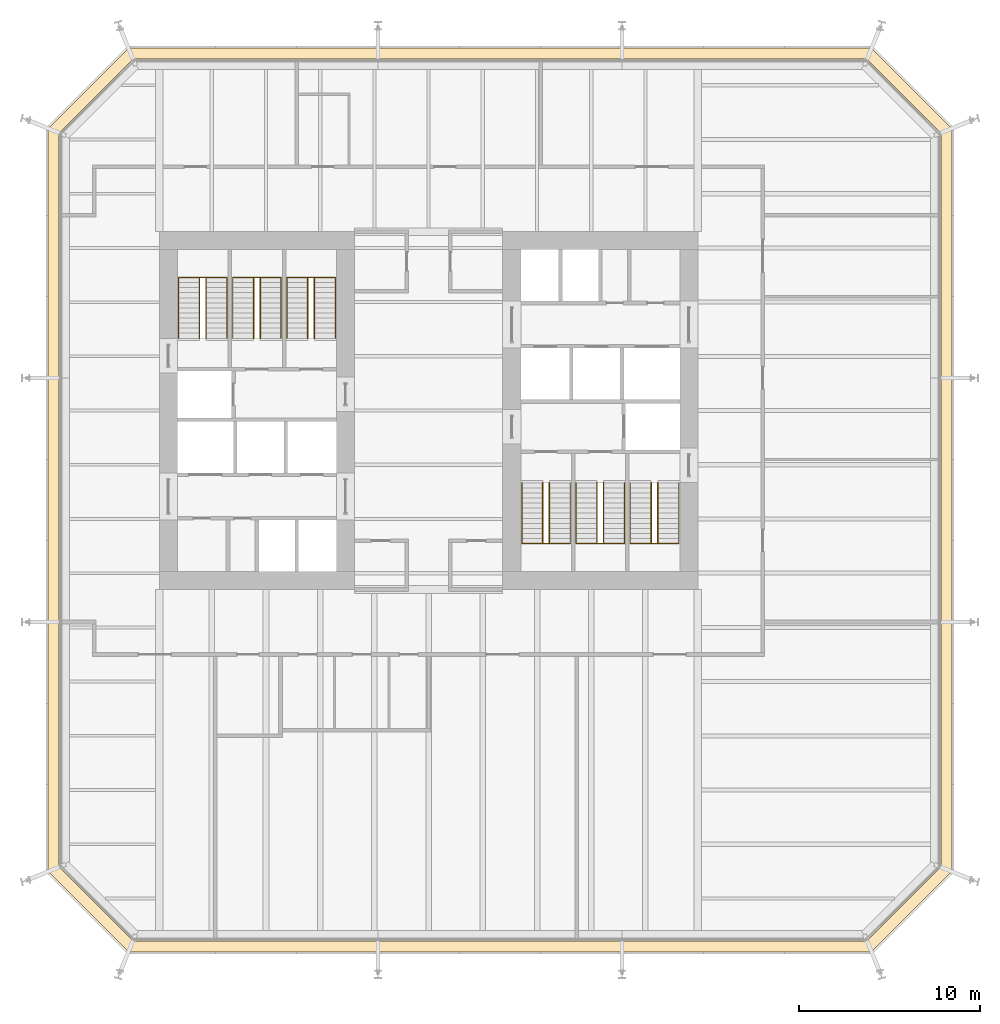
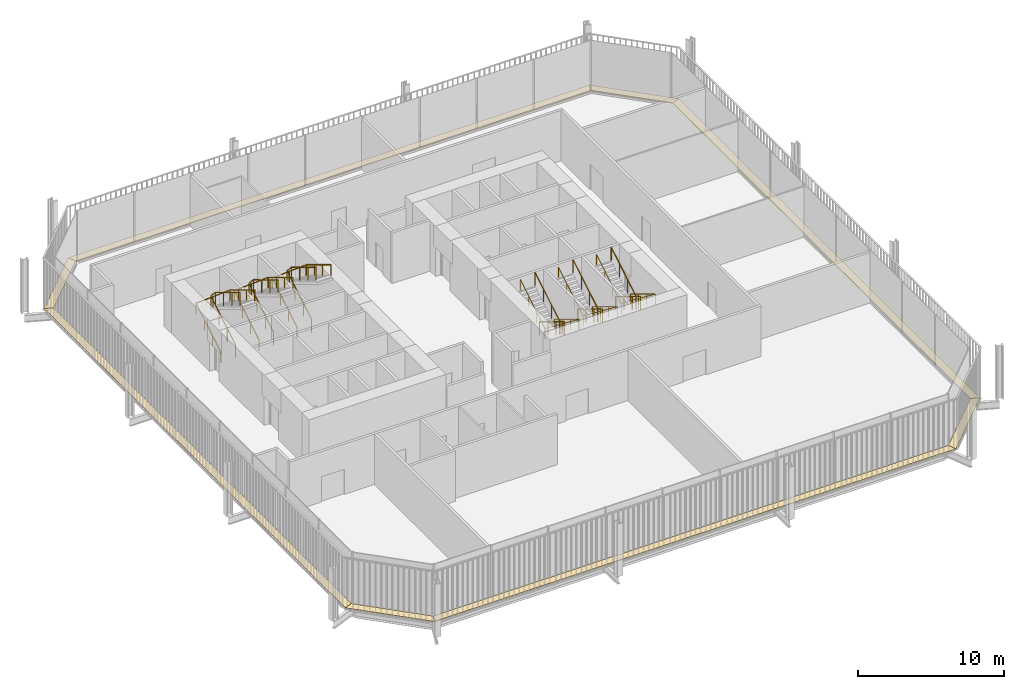
# One storey, part 20 of 20: 12 railings, 8 coverings.
"""IFC4 building model written with IfcOpenShell, lengths in metres."""

from ifc_helpers import new_model, si_unit, direction, frame, origin, origin_2d, place, context, subcontext, project, spatial, polyline, circle, outline, extrude, material, layer, layer_set, type_object, element, save


model = new_model("IFC4")

# Units and contexts
model_context = context("Model", 3, precision=1e-05, world=origin(), true_north=direction((0.0, 1.0)))
body_context = subcontext(model_context, "Body", "Model", "MODEL_VIEW")
ifc_project = project(units=[si_unit("LENGTHUNIT", "METRE"), si_unit("AREAUNIT", "SQUARE_METRE"), si_unit("VOLUMEUNIT", "CUBIC_METRE"), si_unit("PLANEANGLEUNIT", "RADIAN"), si_unit("MASSUNIT", "GRAM", prefix="KILO")], contexts=[model_context])

# Site, building, storey
site_placement = place(None, origin())
site = spatial("IfcSite", under=ifc_project, at=site_placement, CompositionType="ELEMENT")
building_placement = place(site_placement, origin())
building = spatial("IfcBuilding", under=site, at=building_placement, Name="Millrace Tower", CompositionType="ELEMENT")
storey_placement = place(building_placement, frame((0.0, 0.0, 86.39990234375)))
storey = spatial("IfcBuildingStorey", under=building, at=storey_placement, Name="L19", CompositionType="ELEMENT", Elevation=86.39990234375)

# Coverings
ifc_material_1 = material(Name="Steel ASTM A36", Category="steel")
ifc_layer = layer(ifc_material_1, 0.050048828125)
ifc_layer_set = layer_set([ifc_layer], Name="Steel ASTM A36")
covering_type = type_object("IfcCoveringType", Name="CAVITY CATWALK steel grating", PredefinedType="FLOORING", material=ifc_layer_set)
placement = place(storey_placement, frame((0.0, 0.0, 0.10009765625)))
element("IfcCovering", 1, at=placement, inside=storey, type_object=covering_type, Name="Cavity catwalk grating B-F01 L19 1", PredefinedType="FLOORING", context=body_context, shape_type="SweptSolid", body=[
    extrude(outline(polyline([(-21.050048828125, -25.5107421875), (-16.610595703125, -29.949951171875), (-16.362060546875, -29.35009765625), (-20.449951171875, -25.26220703125), (-21.050048828125, -25.5107421875)])), origin(), (0.0, 0.0, 1.0), 0.050048828125),
])
element("IfcCovering", 2, at=placement, inside=storey, type_object=covering_type, Name="Cavity catwalk grating B-F02 L19 1", PredefinedType="FLOORING", context=body_context, shape_type="SweptSolid", body=[
    extrude(outline(polyline([(-16.610595703125, -29.949951171875), (24.5107421875, -29.949951171875), (24.26220703125, -29.35009765625), (-16.362060546875, -29.35009765625), (-16.610595703125, -29.949951171875)])), origin(), (0.0, 0.0, 1.0), 0.050048828125),
])
element("IfcCovering", 3, at=placement, inside=storey, type_object=covering_type, Name="Cavity catwalk grating B-F03 L19 1", PredefinedType="FLOORING", context=body_context, shape_type="SweptSolid", body=[
    extrude(outline(polyline([(24.5107421875, -29.949951171875), (28.949951171875, -25.5107421875), (28.35009765625, -25.26220703125), (24.26220703125, -29.35009765625), (24.5107421875, -29.949951171875)])), origin(), (0.0, 0.0, 1.0), 0.050048828125),
])
element("IfcCovering", 4, at=placement, inside=storey, type_object=covering_type, Name="Cavity catwalk grating B-F04 L19 1", PredefinedType="FLOORING", context=body_context, shape_type="SweptSolid", body=[
    extrude(outline(polyline([(28.949951171875, -25.5107421875), (28.949951171875, 15.610595703125), (28.35009765625, 15.362060546875), (28.35009765625, -25.26220703125), (28.949951171875, -25.5107421875)])), origin(), (0.0, 0.0, 1.0), 0.050048828125),
])
element("IfcCovering", 5, at=placement, inside=storey, type_object=covering_type, Name="Cavity catwalk grating B-F05 L19 1", PredefinedType="FLOORING", context=body_context, shape_type="SweptSolid", body=[
    extrude(outline(polyline([(28.949951171875, 15.610595703125), (24.5107421875, 20.050048828125), (24.26220703125, 19.449951171875), (28.35009765625, 15.362060546875), (28.949951171875, 15.610595703125)])), origin(), (0.0, 0.0, 1.0), 0.050048828125),
])
element("IfcCovering", 6, at=placement, inside=storey, type_object=covering_type, Name="Cavity catwalk grating B-F06 L19 1", PredefinedType="FLOORING", context=body_context, shape_type="SweptSolid", body=[
    extrude(outline(polyline([(24.5107421875, 20.050048828125), (-16.610595703125, 20.050048828125), (-16.362060546875, 19.449951171875), (24.26220703125, 19.449951171875), (24.5107421875, 20.050048828125)])), origin(), (0.0, 0.0, 1.0), 0.050048828125),
])
element("IfcCovering", 7, at=placement, inside=storey, type_object=covering_type, Name="Cavity catwalk grating B-F07 L19 1", PredefinedType="FLOORING", context=body_context, shape_type="SweptSolid", body=[
    extrude(outline(polyline([(-16.610595703125, 20.050048828125), (-21.050048828125, 15.610595703125), (-20.449951171875, 15.362060546875), (-16.362060546875, 19.449951171875), (-16.610595703125, 20.050048828125)])), origin(), (0.0, 0.0, 1.0), 0.050048828125),
])
element("IfcCovering", 8, at=placement, inside=storey, type_object=covering_type, Name="Cavity catwalk grating B-F08 L19 1", PredefinedType="FLOORING", context=body_context, shape_type="SweptSolid", body=[
    extrude(outline(polyline([(-21.050048828125, 15.610595703125), (-21.050048828125, -25.5107421875), (-20.449951171875, -25.26220703125), (-20.449951171875, 15.362060546875), (-21.050048828125, 15.610595703125)])), origin(), (0.0, 0.0, 1.0), 0.050048828125),
])

# Railings
ifc_material_2 = material(Name="Stainless steel ASTM A240 type 316", Category="steel")
railing_type_1 = type_object("IfcRailingType", Name="Stair guard 1100", PredefinedType="GUARDRAIL", material=ifc_material_2)
for number, where, name in (
    (9, (-12.679931640625, 4.0, 0.169189453125), "Stair guard 1 W L19"),
    (10, (-9.679931640625, 4.0, 0.169189453125), "Stair guard 2 W L19"),
    (11, (-6.679931640625, 4.0, 0.169189453125), "Stair guard 3 W L19"),
):
    element("IfcRailing", number, at=place(storey_placement, frame(where)), inside=storey, type_object=railing_type_1, Name=name, PredefinedType="GUARDRAIL", context=body_context, shape_type="SweptSolid", body=[
        extrude(circle(Radius=0.02392578125, at=origin_2d()), frame((0.0, 0.0, 1.076171875), z_axis=(0.0, 0.855809448938, 0.517291201461), x_axis=(-1.0, 0.0, 0.0)), (0.0, 0.0, 1.0), 3.92626953125),
        extrude(circle(Radius=0.02392578125, at=origin_2d()), frame((0.0, 3.360107421875, 3.10693359375), z_axis=(0.904971698027, 0.0, 0.425471768475), x_axis=(0.0, 1.0, 0.0)), (0.0, 0.0, 1.0), 0.397705078125),
        extrude(circle(Radius=0.02392578125, at=origin_2d()), frame((0.35986328125, 3.360107421875, 3.2763671875), z_axis=(0.0, -0.855836976705, 0.517245656632), x_axis=(1.0, 0.0, 0.0)), (0.0, 0.0, 1.0), 3.926025390625),
        extrude(circle(Radius=0.02099609375, at=origin_2d()), origin(), (0.0, 0.0, 1.0), 1.052001953125),
        extrude(circle(Radius=0.02099609375, at=origin_2d()), frame((0.0, 1.1201171875, 0.677001953125)), (0.0, 0.0, 1.0), 1.052001953125),
        extrude(circle(Radius=0.02099609375, at=origin_2d()), frame((0.0, 2.239990234375, 1.35400390625)), (0.0, 0.0, 1.0), 1.052001953125),
        extrude(circle(Radius=0.02099609375, at=origin_2d()), frame((0.0, 3.360107421875, 2.031005859375)), (0.0, 0.0, 1.0), 1.052001953125),
        extrude(circle(Radius=0.02099609375, at=origin_2d()), frame((0.35986328125, 3.360107421875, 2.2001953125)), (0.0, 0.0, 1.0), 1.052001953125),
        extrude(circle(Radius=0.02099609375, at=origin_2d()), frame((0.35986328125, 2.239990234375, 2.877197265625)), (0.0, 0.0, 1.0), 1.052001953125),
        extrude(circle(Radius=0.02099609375, at=origin_2d()), frame((0.35986328125, 1.1201171875, 3.553955078125)), (0.0, 0.0, 1.0), 1.052001953125),
        extrude(circle(Radius=0.02099609375, at=origin_2d()), frame((0.35986328125, 0.0, 4.23095703125)), (0.0, 0.0, 1.0), 1.052001953125),
    ])
for number, where, name in (
    (12, (12.679931640625, -4.0, 0.169189453125), "Stair guard 1 E L19"),
    (13, (9.679931640625, -4.0, 0.169189453125), "Stair guard 2 E L19"),
    (14, (6.679931640625, -4.0, 0.169189453125), "Stair guard 3 E L19"),
):
    element("IfcRailing", number, at=place(storey_placement, frame(where)), inside=storey, type_object=railing_type_1, Name=name, PredefinedType="GUARDRAIL", context=body_context, shape_type="SweptSolid", body=[
        extrude(circle(Radius=0.02392578125, at=origin_2d()), frame((0.0, 0.0, 1.076171875), z_axis=(0.0, -0.855809448938, 0.517291201461), x_axis=(1.0, 0.0, 0.0)), (0.0, 0.0, 1.0), 3.92626953125),
        extrude(circle(Radius=0.02392578125, at=origin_2d()), frame((0.0, -3.360107421875, 3.10693359375), z_axis=(-0.904971698027, 0.0, 0.425471768475), x_axis=(0.0, -1.0, 0.0)), (0.0, 0.0, 1.0), 0.397705078125),
        extrude(circle(Radius=0.02392578125, at=origin_2d()), frame((-0.35986328125, -3.360107421875, 3.2763671875), z_axis=(0.0, 0.855836976705, 0.517245656632), x_axis=(-1.0, 0.0, 0.0)), (0.0, 0.0, 1.0), 3.926025390625),
        extrude(circle(Radius=0.02099609375, at=origin_2d()), origin(), (0.0, 0.0, 1.0), 1.052001953125),
        extrude(circle(Radius=0.02099609375, at=origin_2d()), frame((0.0, -1.1201171875, 0.677001953125)), (0.0, 0.0, 1.0), 1.052001953125),
        extrude(circle(Radius=0.02099609375, at=origin_2d()), frame((0.0, -2.239990234375, 1.35400390625)), (0.0, 0.0, 1.0), 1.052001953125),
        extrude(circle(Radius=0.02099609375, at=origin_2d()), frame((0.0, -3.360107421875, 2.031005859375)), (0.0, 0.0, 1.0), 1.052001953125),
        extrude(circle(Radius=0.02099609375, at=origin_2d()), frame((-0.35986328125, -3.360107421875, 2.2001953125)), (0.0, 0.0, 1.0), 1.052001953125),
        extrude(circle(Radius=0.02099609375, at=origin_2d()), frame((-0.35986328125, -2.239990234375, 2.877197265625)), (0.0, 0.0, 1.0), 1.052001953125),
        extrude(circle(Radius=0.02099609375, at=origin_2d()), frame((-0.35986328125, -1.1201171875, 3.553955078125)), (0.0, 0.0, 1.0), 1.052001953125),
        extrude(circle(Radius=0.02099609375, at=origin_2d()), frame((-0.35986328125, 0.0, 4.23095703125)), (0.0, 0.0, 1.0), 1.052001953125),
    ])
ifc_material_3 = material(Name="Stainless steel ASTM A240 type 316", Category="steel")
railing_type_2 = type_object("IfcRailingType", Name="Stair handrail 900", PredefinedType="HANDRAIL", material=ifc_material_3)
railing_1_placement = place(storey_placement, frame((-13.840087890625, 4.0, 0.169189453125)))
element("IfcRailing", 15, at=railing_1_placement, inside=storey, type_object=railing_type_2, Name="Stair handrail 1 W L19", PredefinedType="HANDRAIL", context=body_context, shape_type="SweptSolid", body=[
    extrude(circle(Radius=0.02392578125, at=origin_2d()), frame((0.0, 0.0, 0.8759765625), z_axis=(0.0, 0.855809448938, 0.517291201461), x_axis=(-1.0, 0.0, 0.0)), (0.0, 0.0, 1.0), 3.92626953125),
    extrude(circle(Radius=0.02392578125, at=origin_2d()), frame((0.0, 3.360107421875, 2.90673828125), z_axis=(0.998013473273, 0.0, 0.063000850517), x_axis=(0.0, 1.0, 0.0)), (0.0, 0.0, 1.0), 2.685546875),
    extrude(circle(Radius=0.02392578125, at=origin_2d()), frame((2.68017578125, 3.360107421875, 3.076171875), z_axis=(0.0, -0.855836976705, 0.517245656632), x_axis=(1.0, 0.0, 0.0)), (0.0, 0.0, 1.0), 3.926025390625),
    extrude(circle(Radius=0.02099609375, at=origin_2d()), origin(), (0.0, 0.0, 1.0), 0.851806640625),
    extrude(circle(Radius=0.02099609375, at=origin_2d()), frame((0.0, 1.1201171875, 0.677001953125)), (0.0, 0.0, 1.0), 0.851806640625),
    extrude(circle(Radius=0.02099609375, at=origin_2d()), frame((0.0, 2.239990234375, 1.35400390625)), (0.0, 0.0, 1.0), 0.851806640625),
    extrude(circle(Radius=0.02099609375, at=origin_2d()), frame((0.0, 3.360107421875, 2.031005859375)), (0.0, 0.0, 1.0), 0.851806640625),
    extrude(circle(Radius=0.02099609375, at=origin_2d()), frame((1.340087890625, 3.360107421875, 2.11572265625)), (0.0, 0.0, 1.0), 0.851806640625),
    extrude(circle(Radius=0.02099609375, at=origin_2d()), frame((2.68017578125, 3.360107421875, 2.2001953125)), (0.0, 0.0, 1.0), 0.851806640625),
    extrude(circle(Radius=0.02099609375, at=origin_2d()), frame((2.68017578125, 2.239990234375, 2.877197265625)), (0.0, 0.0, 1.0), 0.851806640625),
    extrude(circle(Radius=0.02099609375, at=origin_2d()), frame((2.68017578125, 1.1201171875, 3.553955078125)), (0.0, 0.0, 1.0), 0.851806640625),
    extrude(circle(Radius=0.02099609375, at=origin_2d()), frame((2.68017578125, 0.0, 4.23095703125)), (0.0, 0.0, 1.0), 0.851806640625),
])
railing_2_placement = place(storey_placement, frame((-10.840087890625, 4.0, 0.169189453125)))
element("IfcRailing", 16, at=railing_2_placement, inside=storey, type_object=railing_type_2, Name="Stair handrail 2 W L19", PredefinedType="HANDRAIL", context=body_context, shape_type="SweptSolid", body=[
    extrude(circle(Radius=0.02392578125, at=origin_2d()), frame((0.0, 0.0, 0.8759765625), z_axis=(0.0, 0.855809448938, 0.517291201461), x_axis=(-1.0, 0.0, 0.0)), (0.0, 0.0, 1.0), 3.92626953125),
    extrude(circle(Radius=0.02392578125, at=origin_2d()), frame((0.0, 3.360107421875, 2.90673828125), z_axis=(0.998013473273, 0.0, 0.063000850517), x_axis=(0.0, 1.0, 0.0)), (0.0, 0.0, 1.0), 2.685546875),
    extrude(circle(Radius=0.02392578125, at=origin_2d()), frame((2.68017578125, 3.360107421875, 3.076171875), z_axis=(0.0, -0.855836976705, 0.517245656632), x_axis=(1.0, 0.0, 0.0)), (0.0, 0.0, 1.0), 3.926025390625),
    extrude(circle(Radius=0.02099609375, at=origin_2d()), origin(), (0.0, 0.0, 1.0), 0.851806640625),
    extrude(circle(Radius=0.02099609375, at=origin_2d()), frame((0.0, 1.1201171875, 0.677001953125)), (0.0, 0.0, 1.0), 0.851806640625),
    extrude(circle(Radius=0.02099609375, at=origin_2d()), frame((0.0, 2.239990234375, 1.35400390625)), (0.0, 0.0, 1.0), 0.851806640625),
    extrude(circle(Radius=0.02099609375, at=origin_2d()), frame((0.0, 3.360107421875, 2.031005859375)), (0.0, 0.0, 1.0), 0.851806640625),
    extrude(circle(Radius=0.02099609375, at=origin_2d()), frame((1.340087890625, 3.360107421875, 2.11572265625)), (0.0, 0.0, 1.0), 0.851806640625),
    extrude(circle(Radius=0.02099609375, at=origin_2d()), frame((2.68017578125, 3.360107421875, 2.2001953125)), (0.0, 0.0, 1.0), 0.851806640625),
    extrude(circle(Radius=0.02099609375, at=origin_2d()), frame((2.68017578125, 2.239990234375, 2.877197265625)), (0.0, 0.0, 1.0), 0.851806640625),
    extrude(circle(Radius=0.02099609375, at=origin_2d()), frame((2.68017578125, 1.1201171875, 3.553955078125)), (0.0, 0.0, 1.0), 0.851806640625),
    extrude(circle(Radius=0.02099609375, at=origin_2d()), frame((2.68017578125, 0.0, 4.23095703125)), (0.0, 0.0, 1.0), 0.851806640625),
])
railing_3_placement = place(storey_placement, frame((-7.840087890625, 4.0, 0.169189453125)))
element("IfcRailing", 17, at=railing_3_placement, inside=storey, type_object=railing_type_2, Name="Stair handrail 3 W L19", PredefinedType="HANDRAIL", context=body_context, shape_type="SweptSolid", body=[
    extrude(circle(Radius=0.02392578125, at=origin_2d()), frame((0.0, 0.0, 0.8759765625), z_axis=(0.0, 0.855809448938, 0.517291201461), x_axis=(-1.0, 0.0, 0.0)), (0.0, 0.0, 1.0), 3.92626953125),
    extrude(circle(Radius=0.02392578125, at=origin_2d()), frame((0.0, 3.360107421875, 2.90673828125), z_axis=(0.998013473273, 0.0, 0.063000850517), x_axis=(0.0, 1.0, 0.0)), (0.0, 0.0, 1.0), 2.685546875),
    extrude(circle(Radius=0.02392578125, at=origin_2d()), frame((2.68017578125, 3.360107421875, 3.076171875), z_axis=(0.0, -0.855836976705, 0.517245656632), x_axis=(1.0, 0.0, 0.0)), (0.0, 0.0, 1.0), 3.926025390625),
    extrude(circle(Radius=0.02099609375, at=origin_2d()), origin(), (0.0, 0.0, 1.0), 0.851806640625),
    extrude(circle(Radius=0.02099609375, at=origin_2d()), frame((0.0, 1.1201171875, 0.677001953125)), (0.0, 0.0, 1.0), 0.851806640625),
    extrude(circle(Radius=0.02099609375, at=origin_2d()), frame((0.0, 2.239990234375, 1.35400390625)), (0.0, 0.0, 1.0), 0.851806640625),
    extrude(circle(Radius=0.02099609375, at=origin_2d()), frame((0.0, 3.360107421875, 2.031005859375)), (0.0, 0.0, 1.0), 0.851806640625),
    extrude(circle(Radius=0.02099609375, at=origin_2d()), frame((1.340087890625, 3.360107421875, 2.11572265625)), (0.0, 0.0, 1.0), 0.851806640625),
    extrude(circle(Radius=0.02099609375, at=origin_2d()), frame((2.68017578125, 3.360107421875, 2.2001953125)), (0.0, 0.0, 1.0), 0.851806640625),
    extrude(circle(Radius=0.02099609375, at=origin_2d()), frame((2.68017578125, 2.239990234375, 2.877197265625)), (0.0, 0.0, 1.0), 0.851806640625),
    extrude(circle(Radius=0.02099609375, at=origin_2d()), frame((2.68017578125, 1.1201171875, 3.553955078125)), (0.0, 0.0, 1.0), 0.851806640625),
    extrude(circle(Radius=0.02099609375, at=origin_2d()), frame((2.68017578125, 0.0, 4.23095703125)), (0.0, 0.0, 1.0), 0.851806640625),
])
railing_4_placement = place(storey_placement, frame((13.840087890625, -4.0, 0.169189453125)))
element("IfcRailing", 18, at=railing_4_placement, inside=storey, type_object=railing_type_2, Name="Stair handrail 1 E L19", PredefinedType="HANDRAIL", context=body_context, shape_type="SweptSolid", body=[
    extrude(circle(Radius=0.02392578125, at=origin_2d()), frame((0.0, 0.0, 0.8759765625), z_axis=(0.0, -0.855809448938, 0.517291201461), x_axis=(1.0, 0.0, 0.0)), (0.0, 0.0, 1.0), 3.92626953125),
    extrude(circle(Radius=0.02392578125, at=origin_2d()), frame((0.0, -3.360107421875, 2.90673828125), z_axis=(-0.998013473273, 0.0, 0.063000850517), x_axis=(0.0, -1.0, 0.0)), (0.0, 0.0, 1.0), 2.685546875),
    extrude(circle(Radius=0.02392578125, at=origin_2d()), frame((-2.68017578125, -3.360107421875, 3.076171875), z_axis=(0.0, 0.855836976705, 0.517245656632), x_axis=(-1.0, 0.0, 0.0)), (0.0, 0.0, 1.0), 3.926025390625),
    extrude(circle(Radius=0.02099609375, at=origin_2d()), origin(), (0.0, 0.0, 1.0), 0.851806640625),
    extrude(circle(Radius=0.02099609375, at=origin_2d()), frame((0.0, -1.1201171875, 0.677001953125)), (0.0, 0.0, 1.0), 0.851806640625),
    extrude(circle(Radius=0.02099609375, at=origin_2d()), frame((0.0, -2.239990234375, 1.35400390625)), (0.0, 0.0, 1.0), 0.851806640625),
    extrude(circle(Radius=0.02099609375, at=origin_2d()), frame((0.0, -3.360107421875, 2.031005859375)), (0.0, 0.0, 1.0), 0.851806640625),
    extrude(circle(Radius=0.02099609375, at=origin_2d()), frame((-1.340087890625, -3.360107421875, 2.11572265625)), (0.0, 0.0, 1.0), 0.851806640625),
    extrude(circle(Radius=0.02099609375, at=origin_2d()), frame((-2.68017578125, -3.360107421875, 2.2001953125)), (0.0, 0.0, 1.0), 0.851806640625),
    extrude(circle(Radius=0.02099609375, at=origin_2d()), frame((-2.68017578125, -2.239990234375, 2.877197265625)), (0.0, 0.0, 1.0), 0.851806640625),
    extrude(circle(Radius=0.02099609375, at=origin_2d()), frame((-2.68017578125, -1.1201171875, 3.553955078125)), (0.0, 0.0, 1.0), 0.851806640625),
    extrude(circle(Radius=0.02099609375, at=origin_2d()), frame((-2.68017578125, 0.0, 4.23095703125)), (0.0, 0.0, 1.0), 0.851806640625),
])
railing_5_placement = place(storey_placement, frame((10.840087890625, -4.0, 0.169189453125)))
element("IfcRailing", 19, at=railing_5_placement, inside=storey, type_object=railing_type_2, Name="Stair handrail 2 E L19", PredefinedType="HANDRAIL", context=body_context, shape_type="SweptSolid", body=[
    extrude(circle(Radius=0.02392578125, at=origin_2d()), frame((0.0, 0.0, 0.8759765625), z_axis=(0.0, -0.855809448938, 0.517291201461), x_axis=(1.0, 0.0, 0.0)), (0.0, 0.0, 1.0), 3.92626953125),
    extrude(circle(Radius=0.02392578125, at=origin_2d()), frame((0.0, -3.360107421875, 2.90673828125), z_axis=(-0.998013473273, 0.0, 0.063000850517), x_axis=(0.0, -1.0, 0.0)), (0.0, 0.0, 1.0), 2.685546875),
    extrude(circle(Radius=0.02392578125, at=origin_2d()), frame((-2.68017578125, -3.360107421875, 3.076171875), z_axis=(0.0, 0.855836976705, 0.517245656632), x_axis=(-1.0, 0.0, 0.0)), (0.0, 0.0, 1.0), 3.926025390625),
    extrude(circle(Radius=0.02099609375, at=origin_2d()), origin(), (0.0, 0.0, 1.0), 0.851806640625),
    extrude(circle(Radius=0.02099609375, at=origin_2d()), frame((0.0, -1.1201171875, 0.677001953125)), (0.0, 0.0, 1.0), 0.851806640625),
    extrude(circle(Radius=0.02099609375, at=origin_2d()), frame((0.0, -2.239990234375, 1.35400390625)), (0.0, 0.0, 1.0), 0.851806640625),
    extrude(circle(Radius=0.02099609375, at=origin_2d()), frame((0.0, -3.360107421875, 2.031005859375)), (0.0, 0.0, 1.0), 0.851806640625),
    extrude(circle(Radius=0.02099609375, at=origin_2d()), frame((-1.340087890625, -3.360107421875, 2.11572265625)), (0.0, 0.0, 1.0), 0.851806640625),
    extrude(circle(Radius=0.02099609375, at=origin_2d()), frame((-2.68017578125, -3.360107421875, 2.2001953125)), (0.0, 0.0, 1.0), 0.851806640625),
    extrude(circle(Radius=0.02099609375, at=origin_2d()), frame((-2.68017578125, -2.239990234375, 2.877197265625)), (0.0, 0.0, 1.0), 0.851806640625),
    extrude(circle(Radius=0.02099609375, at=origin_2d()), frame((-2.68017578125, -1.1201171875, 3.553955078125)), (0.0, 0.0, 1.0), 0.851806640625),
    extrude(circle(Radius=0.02099609375, at=origin_2d()), frame((-2.68017578125, 0.0, 4.23095703125)), (0.0, 0.0, 1.0), 0.851806640625),
])
railing_6_placement = place(storey_placement, frame((7.840087890625, -4.0, 0.169189453125)))
element("IfcRailing", 20, at=railing_6_placement, inside=storey, type_object=railing_type_2, Name="Stair handrail 3 E L19", PredefinedType="HANDRAIL", context=body_context, shape_type="SweptSolid", body=[
    extrude(circle(Radius=0.02392578125, at=origin_2d()), frame((0.0, 0.0, 0.8759765625), z_axis=(0.0, -0.855809448938, 0.517291201461), x_axis=(1.0, 0.0, 0.0)), (0.0, 0.0, 1.0), 3.92626953125),
    extrude(circle(Radius=0.02392578125, at=origin_2d()), frame((0.0, -3.360107421875, 2.90673828125), z_axis=(-0.998013473273, 0.0, 0.063000850517), x_axis=(0.0, -1.0, 0.0)), (0.0, 0.0, 1.0), 2.685546875),
    extrude(circle(Radius=0.02392578125, at=origin_2d()), frame((-2.68017578125, -3.360107421875, 3.076171875), z_axis=(0.0, 0.855836976705, 0.517245656632), x_axis=(-1.0, 0.0, 0.0)), (0.0, 0.0, 1.0), 3.926025390625),
    extrude(circle(Radius=0.02099609375, at=origin_2d()), origin(), (0.0, 0.0, 1.0), 0.851806640625),
    extrude(circle(Radius=0.02099609375, at=origin_2d()), frame((0.0, -1.1201171875, 0.677001953125)), (0.0, 0.0, 1.0), 0.851806640625),
    extrude(circle(Radius=0.02099609375, at=origin_2d()), frame((0.0, -2.239990234375, 1.35400390625)), (0.0, 0.0, 1.0), 0.851806640625),
    extrude(circle(Radius=0.02099609375, at=origin_2d()), frame((0.0, -3.360107421875, 2.031005859375)), (0.0, 0.0, 1.0), 0.851806640625),
    extrude(circle(Radius=0.02099609375, at=origin_2d()), frame((-1.340087890625, -3.360107421875, 2.11572265625)), (0.0, 0.0, 1.0), 0.851806640625),
    extrude(circle(Radius=0.02099609375, at=origin_2d()), frame((-2.68017578125, -3.360107421875, 2.2001953125)), (0.0, 0.0, 1.0), 0.851806640625),
    extrude(circle(Radius=0.02099609375, at=origin_2d()), frame((-2.68017578125, -2.239990234375, 2.877197265625)), (0.0, 0.0, 1.0), 0.851806640625),
    extrude(circle(Radius=0.02099609375, at=origin_2d()), frame((-2.68017578125, -1.1201171875, 3.553955078125)), (0.0, 0.0, 1.0), 0.851806640625),
    extrude(circle(Radius=0.02099609375, at=origin_2d()), frame((-2.68017578125, 0.0, 4.23095703125)), (0.0, 0.0, 1.0), 0.851806640625),
])

save(model, "model.ifc")
